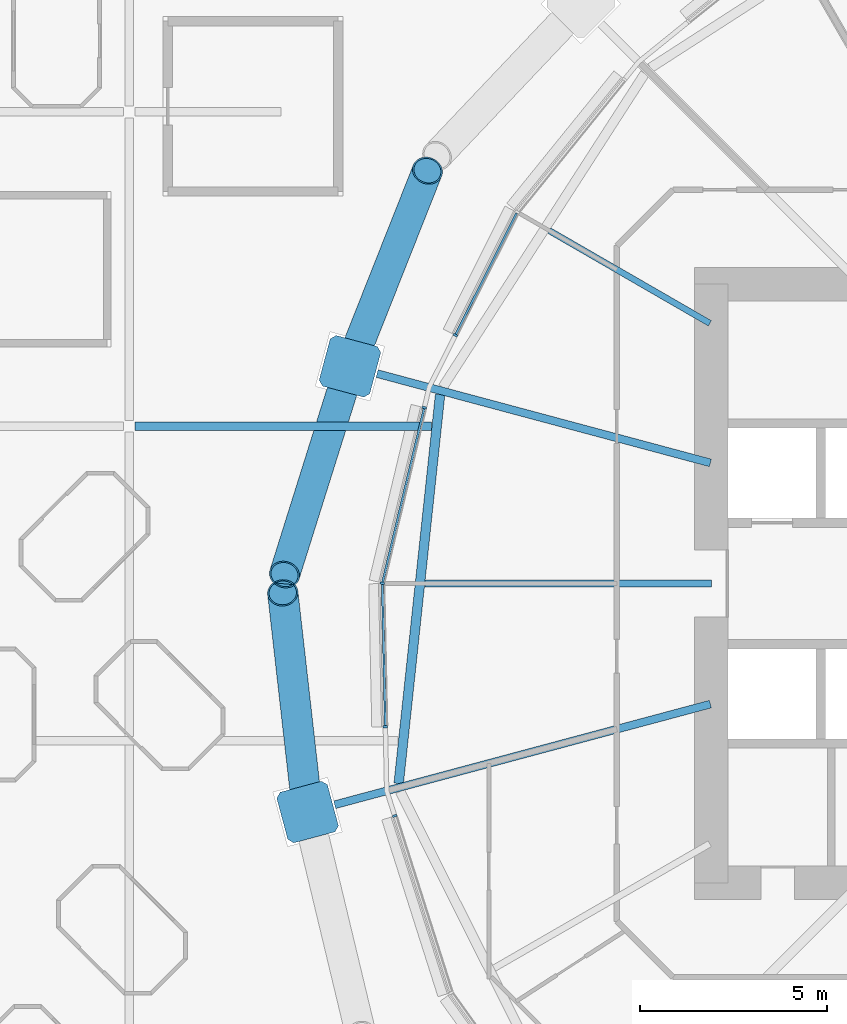
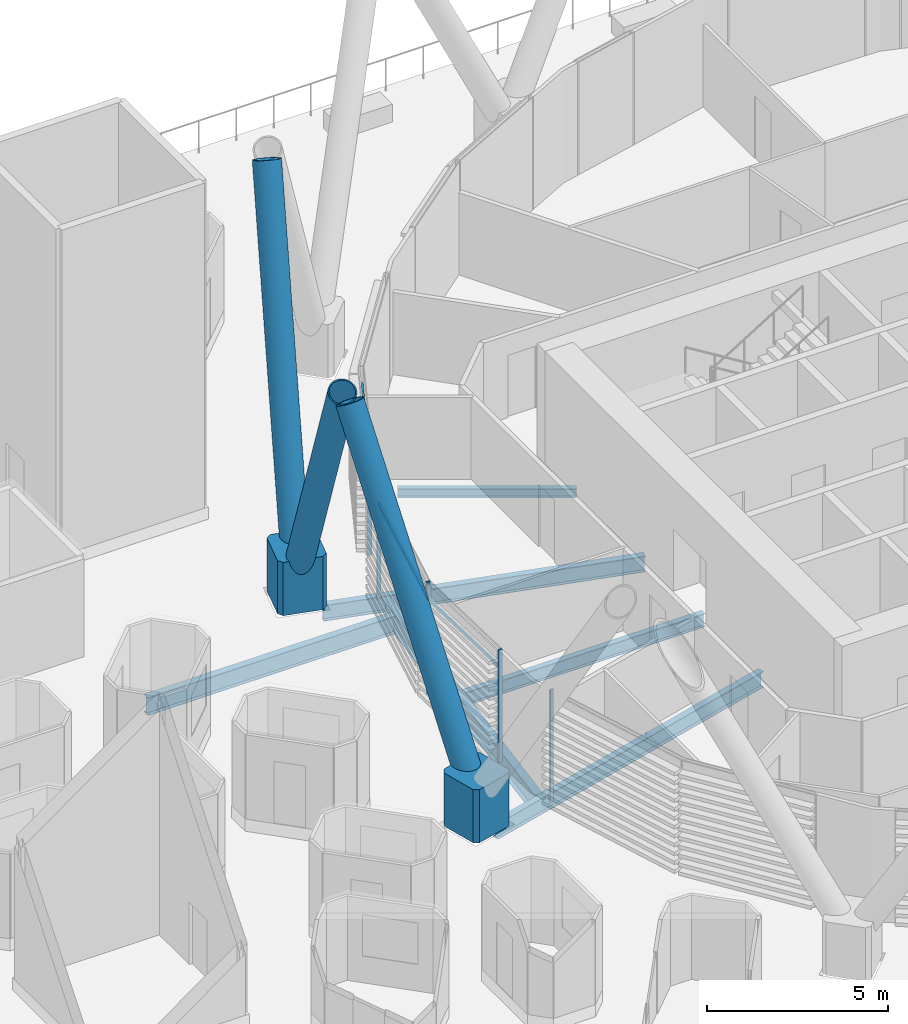
# One storey, part 15 of 47: 13 members, 6 beams, 1 element without a shape of its own.
"""IFC4 building model written with IfcOpenShell, lengths in metres."""

from ifc_helpers import new_model, si_unit, direction, frame, origin, origin_2d, place, context, subcontext, project, spatial, polyline, rectangle, hollow_circle, i_section, outline, extrude, material, material_profile, profile_set, type_object, element, aggregate, save


model = new_model("IFC4")

# Units and contexts
model_context = context("Model", 3, precision=1e-05, world=origin(), true_north=direction((0.0, 1.0)))
body_context = subcontext(model_context, "Body", "Model", "MODEL_VIEW")
ifc_project = project(units=[si_unit("LENGTHUNIT", "METRE"), si_unit("AREAUNIT", "SQUARE_METRE"), si_unit("VOLUMEUNIT", "CUBIC_METRE"), si_unit("PLANEANGLEUNIT", "RADIAN"), si_unit("MASSUNIT", "GRAM", prefix="KILO")], contexts=[model_context])

# Site, building, storey
site_placement = place(None, origin())
site = spatial("IfcSite", under=ifc_project, at=site_placement, CompositionType="ELEMENT")
building_placement = place(site_placement, origin())
building = spatial("IfcBuilding", under=site, at=building_placement, Name="Rimbun Link Towers", CompositionType="ELEMENT")
storey_placement = place(building_placement, frame((0.0, 0.0, 30.0)))
storey = spatial("IfcBuildingStorey", under=building, at=storey_placement, Name="L06", CompositionType="ELEMENT", Elevation=30.0)

# Curtain wall, members
ifc_material_1 = material(Name="Aluminium 6063-T6 and low-iron glass", Category="aluminium")
curtain_wall_type = type_object("IfcCurtainWallType", Name="CW1 unitised vision wall", PredefinedType="NOTDEFINED", material=ifc_material_1)
curtain_wall_placement = place(storey_placement, origin())
curtain_wall = element("IfcCurtainWall", 1, at=curtain_wall_placement, inside=storey, type_object=curtain_wall_type, Name="CW1 L06 T2", PredefinedType="NOTDEFINED")
ifc_material_2 = material(Name="Aluminium 6063-T6", Category="aluminium")
ifc_material_profile_1 = material_profile(ifc_material_2, rectangle(XDim=0.1201171875, YDim=0.06005859375, at=origin_2d()), Name="MULLION 60X120")
ifc_profile_set_1 = profile_set([ifc_material_profile_1], Name="Aluminium 6063-T6")
member_type_1 = type_object("IfcMemberType", Name="CW1 mullion 60X120", PredefinedType="MULLION", material=ifc_profile_set_1)
member_1_placement = place(storey_placement, frame((12.9072265625, 6.633056640625, 0.0), z_axis=(0.0, 0.0, 1.0), x_axis=(-0.893645687489, 0.448773200217, 0.0)))
member_1 = element("IfcMember", 2, at=member_1_placement, type_object=member_type_1, Name="CW1 mullion", PredefinedType="MULLION", context=body_context, shape_type="SweptSolid", body=[
    extrude(rectangle(XDim=0.1201171875, YDim=0.06005859375, at=origin_2d()), origin(), (0.0, 0.0, 1.0), 3.800048828125),
])
member_2_placement = place(storey_placement, frame((10.956787109375, 0.00634765625, 0.0), z_axis=(0.0, 0.0, 1.0), x_axis=(-0.994297194147, 0.106644689088, 0.0)))
member_2 = element("IfcMember", 3, at=member_2_placement, type_object=member_type_1, Name="CW1 mullion", PredefinedType="MULLION", context=body_context, shape_type="SweptSolid", body=[
    extrude(rectangle(XDim=0.1201171875, YDim=0.06005859375, at=origin_2d()), origin(), (0.0, 0.0, 1.0), 3.800048828125),
])
member_3_placement = place(storey_placement, frame((12.078857421875, 4.699951171875, 0.0), z_axis=(0.0, 0.0, 1.0), x_axis=(-0.972569455913, 0.23261266824, 0.0)))
member_3 = element("IfcMember", 4, at=member_3_placement, type_object=member_type_1, Name="CW1 mullion", PredefinedType="MULLION", context=body_context, shape_type="SweptSolid", body=[
    extrude(rectangle(XDim=0.1201171875, YDim=0.06005859375, at=origin_2d()), origin(), (0.0, 0.0, 1.0), 3.800048828125),
])
member_4_placement = place(storey_placement, frame((11.037109375, -3.825927734375, 0.0), z_axis=(0.0, 0.0, 1.0), x_axis=(-0.999778089999, -0.021065867113, 0.0)))
member_4 = element("IfcMember", 5, at=member_4_placement, type_object=member_type_1, Name="CW1 mullion", PredefinedType="MULLION", context=body_context, shape_type="SweptSolid", body=[
    extrude(rectangle(XDim=0.1201171875, YDim=0.06005859375, at=origin_2d()), origin(), (0.0, 0.0, 1.0), 3.800048828125),
])
member_5_placement = place(storey_placement, frame((11.287841796875, -6.20947265625, 0.0), z_axis=(0.0, 0.0, 1.0), x_axis=(-0.952967107147, -0.303073741351, 0.0)))
member_5 = element("IfcMember", 6, at=member_5_placement, type_object=member_type_1, Name="CW1 mullion", PredefinedType="MULLION", context=body_context, shape_type="SweptSolid", body=[
    extrude(rectangle(XDim=0.1201171875, YDim=0.06005859375, at=origin_2d()), origin(), (0.0, 0.0, 1.0), 3.800048828125),
])
ifc_material_3 = material(Name="Aluminium 6063-T6", Category="aluminium")
ifc_material_profile_2 = material_profile(ifc_material_3, rectangle(XDim=0.06005859375, YDim=0.1201171875, at=origin_2d()), Name="TRANSOM 60X120")
ifc_profile_set_2 = profile_set([ifc_material_profile_2], Name="Aluminium 6063-T6")
member_type_2 = type_object("IfcMemberType", Name="CW1 transom 60X120", PredefinedType="USERDEFINED", material=ifc_profile_set_2)
member_6_placement = place(storey_placement, frame((12.92236328125, 6.658935546875, 3.199951171875), z_axis=(0.448777630286, 0.893643462772, 0.0), x_axis=(-0.893643462772, 0.448777630286, 0.0)))
member_6 = element("IfcMember", 7, at=member_6_placement, type_object=member_type_2, Name="CW1 transom", ObjectType="TRANSOM", PredefinedType="USERDEFINED", context=body_context, shape_type="SweptSolid", body=[
    extrude(rectangle(XDim=0.06005859375, YDim=0.1201171875, at=origin_2d()), origin(), (0.0, 0.0, 1.0), 3.619873046875),
])
member_7_placement = place(storey_placement, frame((10.967041015625, 0.042724609375, 3.199951171875), z_axis=(0.232635462589, 0.97256400383, 0.0), x_axis=(-0.97256400383, 0.232635462589, 0.0)))
member_7 = element("IfcMember", 8, at=member_7_placement, type_object=member_type_2, Name="CW1 transom", ObjectType="TRANSOM", PredefinedType="USERDEFINED", context=body_context, shape_type="SweptSolid", body=[
    extrude(rectangle(XDim=0.06005859375, YDim=0.1201171875, at=origin_2d()), origin(), (0.0, 0.0, 1.0), 4.75830078125),
])
member_8_placement = place(storey_placement, frame((11.03857421875, -3.7958984375, 3.199951171875), z_axis=(-0.021071844249, 0.99977796404, 0.0), x_axis=(-0.99977796404, -0.021071844249, 0.0)))
member_8 = element("IfcMember", 9, at=member_8_placement, type_object=member_type_2, Name="CW1 transom", ObjectType="TRANSOM", PredefinedType="USERDEFINED", context=body_context, shape_type="SweptSolid", body=[
    extrude(rectangle(XDim=0.06005859375, YDim=0.1201171875, at=origin_2d()), origin(), (0.0, 0.0, 1.0), 3.765380859375),
])
aggregate(curtain_wall, [member_1, member_2, member_3, member_4, member_5, member_6, member_7, member_8])

# Members
ifc_material_4 = material(Name="Steel S460NH", Category="steel")
ifc_material_profile_3 = material_profile(ifc_material_4, hollow_circle(Radius=0.406494140625, WallThickness=0.0400390625, at=origin_2d()), Name="Diagrid diagonal CHS 813x40")
ifc_profile_set_3 = profile_set([ifc_material_profile_3], Name="Steel S460NH")
member_type_3 = type_object("IfcMemberType", Name="Diagrid diagonal CHS 813x40", PredefinedType="BRACE", material=ifc_profile_set_3)
member_9_placement = place(storey_placement, frame((10.181640625, 6.030029296875, 1.33642578125), z_axis=(0.179570689605, 0.45347632045, 0.872991176488), x_axis=(-0.929757738563, 0.368171899501, 0.0)))
element("IfcMember", 10, at=member_9_placement, inside=storey, type_object=member_type_3, Name="Diagrid diagonal T2 L06-L09 08a", PredefinedType="BRACE", context=body_context, shape_type="SweptSolid", body=[
    extrude(hollow_circle(Radius=0.406494140625, WallThickness=0.0400390625, at=origin_2d()), origin(), (0.0, 0.0, 1.0), 11.027587890625),
])
member_10_placement = place(storey_placement, frame((10.0166015625, 5.564208984375, 1.33251953125), z_axis=(-0.150278546844, -0.478242728884, 0.865274667737), x_axis=(0.954008728231, -0.299778829236, 0.0)))
element("IfcMember", 11, at=member_10_placement, inside=storey, type_object=member_type_3, Name="Diagrid diagonal T2 L06-L09 08b", PredefinedType="BRACE", context=body_context, shape_type="SweptSolid", body=[
    extrude(hollow_circle(Radius=0.406494140625, WallThickness=0.0400390625, at=origin_2d()), origin(), (0.0, 0.0, 1.0), 11.135009765625),
])
member_11_placement = place(storey_placement, frame((8.93115234375, -5.855712890625, 1.33154296875), z_axis=(-0.056846368265, 0.501931567792, 0.863037190201), x_axis=(-0.993647672845, -0.112535782088, 0.0)))
element("IfcMember", 12, at=member_11_placement, inside=storey, type_object=member_type_3, Name="Diagrid diagonal T2 L06-L09 10a", PredefinedType="BRACE", context=body_context, shape_type="SweptSolid", body=[
    extrude(hollow_circle(Radius=0.406494140625, WallThickness=0.0400390625, at=origin_2d()), origin(), (0.0, 0.0, 1.0), 11.166259765625),
])
ifc_material_5 = material(Name="Cast steel G20Mn5+QT, Rp0.2 300 MPa", Category="steel")
ifc_material_profile_4 = material_profile(ifc_material_5, outline(polyline([(0.699951171875, -0.570068359375), (0.699951171875, 0.570068359375), (0.570068359375, 0.699951171875), (-0.570068359375, 0.699951171875), (-0.699951171875, 0.570068359375), (-0.699951171875, -0.570068359375), (-0.570068359375, -0.699951171875), (0.570068359375, -0.699951171875), (0.699951171875, -0.570068359375)])), Name="NODE 1400x1400")
ifc_profile_set_4 = profile_set([ifc_material_profile_4], Name="Cast steel G20Mn5+QT, Rp0.2 300 MPa")
member_type_4 = type_object("IfcMemberType", Name="Diagrid node cast 1400", PredefinedType="USERDEFINED", material=ifc_profile_set_4)
for number, where, z_axis, x_axis, name in (
    (13, (10.091796875, 5.80322265625, 0.0), (0.0, 0.0, 1.0), (-0.965925826289, 0.258819045103, 0.0), "Diagrid node L06 08"),
    (14, (8.959716796875, -6.106689453125, 0.0), (0.0, 0.0, 1.0), (-0.965925826289, -0.258819045103, 0.0), "Diagrid node L06 10"),
):
    element("IfcMember", number, at=place(storey_placement, frame(where, z_axis=z_axis, x_axis=x_axis)), inside=storey, type_object=member_type_4, Name=name, ObjectType="Diagrid node", PredefinedType="USERDEFINED", context=body_context, shape_type="SweptSolid", body=[
        extrude(outline(polyline([(0.699951171875, -0.570068359375), (0.699951171875, 0.570068359375), (0.570068359375, 0.699951171875), (-0.570068359375, 0.699951171875), (-0.699951171875, 0.570068359375), (-0.699951171875, -0.570068359375), (-0.570068359375, -0.699951171875), (0.570068359375, -0.699951171875), (0.699951171875, -0.570068359375)])), origin(), (0.0, 0.0, 1.0), 1.800048828125),
    ])

# Beams
ifc_material_6 = material(Name="Steel S355J2", Category="steel")
ifc_material_profile_5 = material_profile(ifc_material_6, i_section(OverallWidth=0.1650390625, OverallDepth=0.303466796875, WebThickness=0.006103515625, FlangeThickness=0.01025390625, at=origin_2d()), Name="UB 305x165x40")
ifc_profile_set_5 = profile_set([ifc_material_profile_5], Name="Steel S355J2")
beam_type_1 = type_object("IfcBeamType", Name="UB 305x165x40", PredefinedType="BEAM", material=ifc_profile_set_5)
beam_1_placement = place(storey_placement, frame((19.7080078125, 6.952392578125, -0.45166015625), z_axis=(-0.866029649098, 0.49999264683, 0.0), x_axis=(-0.49999264683, -0.866029649098, 0.0)))
element("IfcBeam", 15, at=beam_1_placement, inside=storey, type_object=beam_type_1, Name="Radial beam T2 L06 07", PredefinedType="BEAM", context=body_context, shape_type="SweptSolid", body=[
    extrude(i_section(OverallWidth=0.1650390625, OverallDepth=0.303466796875, WebThickness=0.006103515625, FlangeThickness=0.01025390625, at=origin_2d()), origin(), (0.0, 0.0, 1.0), 4.95361328125),
])
ifc_material_7 = material(Name="Steel S355J2", Category="steel")
ifc_material_profile_6 = material_profile(ifc_material_7, i_section(OverallWidth=0.18994140625, OverallDepth=0.453369140625, WebThickness=0.008544921875, FlangeThickness=0.0126953125, at=origin_2d()), Name="UB 457x191x67")
ifc_profile_set_6 = profile_set([ifc_material_profile_6], Name="Steel S355J2")
beam_type_2 = type_object("IfcBeamType", Name="UB 457x191x67", PredefinedType="BEAM", material=ifc_profile_set_6)
beam_2_placement = place(storey_placement, frame((19.7490234375, 0.0, -0.526611328125), z_axis=(-1.0, 0.0, 0.0), x_axis=(0.0, -1.0, 0.0)))
element("IfcBeam", 16, at=beam_2_placement, inside=storey, type_object=beam_type_2, Name="Radial beam T2 L06 09", PredefinedType="BEAM", context=body_context, shape_type="SweptSolid", body=[
    extrude(i_section(OverallWidth=0.18994140625, OverallDepth=0.453369140625, WebThickness=0.008544921875, FlangeThickness=0.0126953125, at=origin_2d()), origin(), (0.0, 0.0, 1.0), 7.65771484375),
])
ifc_material_8 = material(Name="Steel S355J2", Category="steel")
ifc_material_profile_7 = material_profile(ifc_material_8, i_section(OverallWidth=0.209228515625, OverallDepth=0.533203125, WebThickness=0.010009765625, FlangeThickness=0.015625, at=origin_2d()), Name="UB 533x210x92")
ifc_profile_set_7 = profile_set([ifc_material_profile_7], Name="Steel S355J2")
beam_type_3 = type_object("IfcBeamType", Name="UB 533x210x92", PredefinedType="BEAM", material=ifc_profile_set_7)
beam_3_placement = place(storey_placement, frame((19.721923828125, 3.222900390625, -0.56640625), z_axis=(-0.965927485499, 0.258812852768, 0.0), x_axis=(-0.258812852768, -0.965927485499, 0.0)))
element("IfcBeam", 17, at=beam_3_placement, inside=storey, type_object=beam_type_3, Name="Radial beam T2 L06 08", PredefinedType="BEAM", context=body_context, shape_type="SweptSolid", body=[
    extrude(i_section(OverallWidth=0.209228515625, OverallDepth=0.533203125, WebThickness=0.010009765625, FlangeThickness=0.015625, at=origin_2d()), origin(), (0.0, 0.0, 1.0), 9.219970703125),
])
beam_4_placement = place(storey_placement, frame((19.721923828125, -3.222900390625, -0.56640625), z_axis=(-0.965924246626, -0.258824940413, 0.0), x_axis=(0.258824940413, -0.965924246626, 0.0)))
element("IfcBeam", 18, at=beam_4_placement, inside=storey, type_object=beam_type_3, Name="Radial beam T2 L06 10", PredefinedType="BEAM", context=body_context, shape_type="SweptSolid", body=[
    extrude(i_section(OverallWidth=0.209228515625, OverallDepth=0.533203125, WebThickness=0.010009765625, FlangeThickness=0.015625, at=origin_2d()), origin(), (0.0, 0.0, 1.0), 10.391845703125),
])
ifc_material_9 = material(Name="Steel S355J2", Category="steel")
ifc_material_profile_8 = material_profile(ifc_material_9, i_section(OverallWidth=0.2275390625, OverallDepth=0.6025390625, WebThickness=0.010498046875, FlangeThickness=0.014892578125, at=origin_2d()), Name="UB 610x229x101")
ifc_profile_set_8 = profile_set([ifc_material_profile_8], Name="Steel S355J2")
beam_type_4 = type_object("IfcBeamType", Name="UB 610x229x101", PredefinedType="BEAM", material=ifc_profile_set_8)
beam_5_placement = place(storey_placement, frame((4.353759765625, 4.199951171875, -0.601318359375), z_axis=(1.0, 0.0, 0.0), x_axis=(0.0, 1.0, 0.0)))
element("IfcBeam", 19, at=beam_5_placement, inside=storey, type_object=beam_type_4, Name="Grid beam L06 +4.2", PredefinedType="BEAM", context=body_context, shape_type="SweptSolid", body=[
    extrude(i_section(OverallWidth=0.2275390625, OverallDepth=0.6025390625, WebThickness=0.010498046875, FlangeThickness=0.014892578125, at=origin_2d()), origin(), (0.0, 0.0, 1.0), 7.91552734375),
])
ifc_material_10 = material(Name="Steel S355J2", Category="steel")
ifc_material_profile_9 = material_profile(ifc_material_10, i_section(OverallWidth=0.253662109375, OverallDepth=0.68359375, WebThickness=0.012451171875, FlangeThickness=0.01904296875, at=origin_2d()), Name="UB 686x254x140")
ifc_profile_set_9 = profile_set([ifc_material_profile_9], Name="Steel S355J2")
beam_type_5 = type_object("IfcBeamType", Name="UB 686x254x140", PredefinedType="BEAM", material=ifc_profile_set_9)
beam_6_placement = place(storey_placement, frame((12.50048828125, 5.048583984375, -0.641845703125), z_axis=(-0.105900549099, -0.994376726246, 0.0), x_axis=(0.994376726246, -0.105900549099, 0.0)))
element("IfcBeam", 20, at=beam_6_placement, inside=storey, type_object=beam_type_5, Name="Edge beam T2 L06 08-10", PredefinedType="BEAM", context=body_context, shape_type="SweptSolid", body=[
    extrude(i_section(OverallWidth=0.253662109375, OverallDepth=0.68359375, WebThickness=0.012451171875, FlangeThickness=0.01904296875, at=origin_2d()), origin(), (0.0, 0.0, 1.0), 10.45263671875),
])

save(model, "model.ifc")
